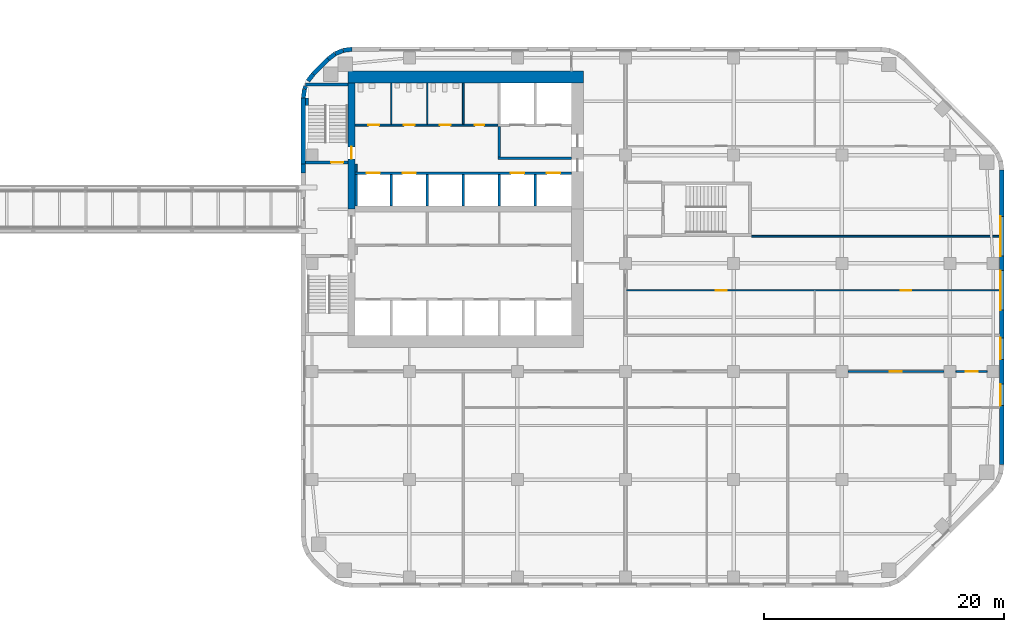
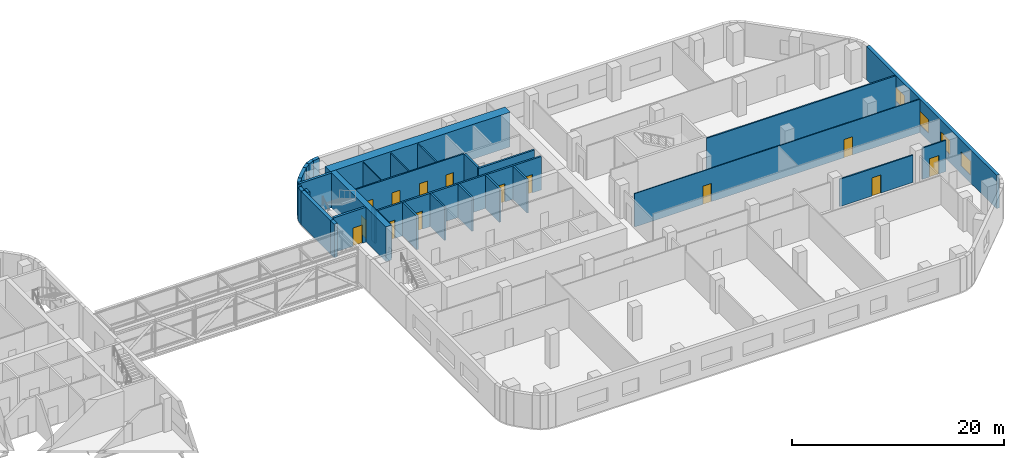
# One storey, part 19 of 24: 33 walls, 14 doors, 4 windows, 18 openings.
"""IFC4 building model written with IfcOpenShell, lengths in metres."""

from ifc_helpers import new_model, si_unit, direction, frame, frame_2d, origin, place, context, subcontext, project, spatial, rectangle, extrude, material, layer, layer_set, type_object, element, fill, save


model = new_model("IFC4")

# Units and contexts
model_context = context("Model", 3, precision=1e-05, world=origin(), true_north=direction((0.0, 1.0)))
body_context = subcontext(model_context, "Body", "Model", "MODEL_VIEW")
ifc_project = project(units=[si_unit("LENGTHUNIT", "METRE"), si_unit("AREAUNIT", "SQUARE_METRE"), si_unit("VOLUMEUNIT", "CUBIC_METRE"), si_unit("PLANEANGLEUNIT", "RADIAN"), si_unit("MASSUNIT", "GRAM", prefix="KILO")], contexts=[model_context])

# Site, building, storey
site_placement = place(None, origin())
site = spatial("IfcSite", under=ifc_project, at=site_placement, CompositionType="ELEMENT")
building_placement = place(site_placement, origin())
building = spatial("IfcBuilding", under=site, at=building_placement, Name="Cinnabar Reach Civic Tower", CompositionType="ELEMENT")
storey_placement = place(building_placement, frame((0.0, 0.0, 71.0)))
storey = spatial("IfcBuildingStorey", under=building, at=storey_placement, Name="L16", CompositionType="ELEMENT", Elevation=71.0)

# Walls
ifc_material_1 = material(Name="Facing brick with insulated backing", Category="masonry")
ifc_layer_1 = layer(ifc_material_1, 0.36)
ifc_layer_set_1 = layer_set([ifc_layer_1], Name="Brick corner wall")
wall_type_1 = type_object("IfcWallType", Name="Brick corner wall", PredefinedType="STANDARD", material=ifc_layer_set_1)
for number, where, z_axis, x_axis, name in (
    (1, (4.2314, 44.817, 0.0), (0.0, 0.0, 1.0), (-0.99144092581, -0.13055608231, 0.0), "Brick corner wall"),
    (2, (3.5027, 44.7181, 0.0), (0.0, 0.0, 1.0), (-0.923871547278, -0.382702709855, 0.0), "Brick corner wall"),
):
    element("IfcWall", number, at=place(storey_placement, frame(where, z_axis=z_axis, x_axis=x_axis)), inside=storey, type_object=wall_type_1, Name=name, PredefinedType="STANDARD", context=body_context, shape_type="SweptSolid", body=[
        extrude(rectangle(XDim=0.7131, YDim=0.36, at=frame_2d((0.3565, 0.0))), origin(), (0.0, 0.0, 1.0), 3.85),
    ])
for number, where, z_axis, x_axis, name in (
    (3, (2.8245, 44.434, 0.0), (0.0, 0.0, 1.0), (-0.793321924995, -0.608802368033, 0.0), "Brick corner wall"),
    (4, (1.0002, 42.7413, 0.0), (0.0, 0.0, 1.0), (-0.608802368033, -0.793321924995, 0.0), "Brick corner wall"),
):
    element("IfcWall", number, at=place(storey_placement, frame(where, z_axis=z_axis, x_axis=x_axis)), inside=storey, type_object=wall_type_1, Name=name, PredefinedType="STANDARD", context=body_context, shape_type="SweptSolid", body=[
        extrude(rectangle(XDim=0.7132, YDim=0.36, at=frame_2d((0.3566, 0.0))), origin(), (0.0, 0.0, 1.0), 3.85),
    ])
wall_1_placement = place(storey_placement, frame((0.3808, 41.736, 0.0), z_axis=(0.0, 0.0, 1.0), x_axis=(-0.382773360986, -0.923842277729, 0.0)))
element("IfcWall", 5, at=wall_1_placement, inside=storey, type_object=wall_type_1, Name="Brick corner wall", PredefinedType="STANDARD", context=body_context, shape_type="SweptSolid", body=[
    extrude(rectangle(XDim=0.2584, YDim=0.36, at=frame_2d((0.1292, 0.0))), origin(), (0.0, 0.0, 1.0), 3.85),
])
wall_2_placement = place(storey_placement, frame((0.2761, 41.4756, 0.0), z_axis=(0.0, 0.0, 1.0), x_axis=(-0.13055608231, -0.99144092581, 0.0)))
element("IfcWall", 6, at=wall_2_placement, inside=storey, type_object=wall_type_1, Name="Brick corner wall", PredefinedType="STANDARD", context=body_context, shape_type="SweptSolid", body=[
    extrude(rectangle(XDim=0.7131, YDim=0.36, at=frame_2d((0.3565, 0.0))), origin(), (0.0, 0.0, 1.0), 3.85),
])

# Wall, openings, windows
ifc_layer_2 = layer(ifc_material_1, 0.36)
ifc_layer_set_2 = layer_set([ifc_layer_2], Name="Brick pier and spandrel wall")
wall_type_2 = type_object("IfcWallType", Name="Brick pier and spandrel wall", PredefinedType="STANDARD", material=ifc_layer_set_2)
wall_3_placement = place(storey_placement, frame((58.32, 10.2426, 0.0), z_axis=(0.0, 0.0, 1.0), x_axis=(0.0, 1.0, 0.0)))
wall_3 = element("IfcWall", 7, at=wall_3_placement, inside=storey, type_object=wall_type_2, Name="Brick facade wall", PredefinedType="STANDARD", context=body_context, shape_type="SweptSolid", body=[
    extrude(rectangle(XDim=24.5148, YDim=0.36, at=frame_2d((12.2574, 0.0))), origin(), (0.0, 0.0, 1.0), 3.85),
])
opening_1_placement = place(wall_3_placement, frame((4.9074, 0.0, 0.9)))
opening_1 = element("IfcOpeningElement", 8, at=opening_1_placement, cuts=wall_3, Name="Opening W1304", PredefinedType="OPENING", context=body_context, shape_type="SweptSolid", body=[
    extrude(rectangle(XDim=1.8, YDim=1.6, at=frame_2d((0.9, 0.8))), frame((0.0, 0.19, 0.0), z_axis=(0.0, -1.0, 0.0), x_axis=(1.0, 0.0, 0.0)), (0.0, 0.0, 1.0), 0.38),
])
opening_2_placement = place(wall_3_placement, frame((8.7574, 0.0, 0.9)))
opening_2 = element("IfcOpeningElement", 9, at=opening_2_placement, cuts=wall_3, Name="Opening W1305", PredefinedType="OPENING", context=body_context, shape_type="SweptSolid", body=[
    extrude(rectangle(XDim=1.8, YDim=1.6, at=frame_2d((0.9, 0.8))), frame((0.0, 0.19, 0.0), z_axis=(0.0, -1.0, 0.0), x_axis=(1.0, 0.0, 0.0)), (0.0, 0.0, 1.0), 0.38),
])
opening_3_placement = place(wall_3_placement, frame((12.8574, 0.0, 0.9)))
opening_3 = element("IfcOpeningElement", 10, at=opening_3_placement, cuts=wall_3, Name="Opening W1306", PredefinedType="OPENING", context=body_context, shape_type="SweptSolid", body=[
    extrude(rectangle(XDim=3.3, YDim=1.6, at=frame_2d((1.65, 0.8))), frame((0.0, 0.19, 0.0), z_axis=(0.0, -1.0, 0.0), x_axis=(1.0, 0.0, 0.0)), (0.0, 0.0, 1.0), 0.38),
])
opening_4_placement = place(wall_3_placement, frame((17.3574, 0.0, 0.9)))
opening_4 = element("IfcOpeningElement", 11, at=opening_4_placement, cuts=wall_3, Name="Opening W1307", PredefinedType="OPENING", context=body_context, shape_type="SweptSolid", body=[
    extrude(rectangle(XDim=3.3, YDim=1.6, at=frame_2d((1.65, 0.8))), frame((0.0, 0.19, 0.0), z_axis=(0.0, -1.0, 0.0), x_axis=(1.0, 0.0, 0.0)), (0.0, 0.0, 1.0), 0.38),
])
ifc_material_2 = material(Name="Clear double glazing in aluminium frame", Category="aluminium")
window_type_1 = type_object("IfcWindowType", Name="Deep-set window A", PartitioningType="SINGLE_PANEL", PredefinedType="WINDOW", material=ifc_material_2)
window_1_placement = place(opening_3_placement, origin())
window_1 = element("IfcWindow", 12, at=window_1_placement, inside=storey, type_object=window_type_1, Name="Window east face", OverallHeight=1.6, OverallWidth=3.3, PartitioningType="SINGLE_PANEL", PredefinedType="WINDOW", context=body_context, shape_type="SweptSolid", body=[
    extrude(rectangle(XDim=3.3, YDim=1.6, at=frame_2d((1.65, 0.8))), frame((0.0, 0.13, 0.0), z_axis=(0.0, -1.0, 0.0), x_axis=(1.0, 0.0, 0.0)), (0.0, 0.0, 1.0), 0.06),
])
fill(opening_3, window_1)
window_2_placement = place(opening_4_placement, origin())
window_2 = element("IfcWindow", 13, at=window_2_placement, inside=storey, type_object=window_type_1, Name="Window east face", OverallHeight=1.6, OverallWidth=3.3, PartitioningType="SINGLE_PANEL", PredefinedType="WINDOW", context=body_context, shape_type="SweptSolid", body=[
    extrude(rectangle(XDim=3.3, YDim=1.6, at=frame_2d((1.65, 0.8))), frame((0.0, 0.13, 0.0), z_axis=(0.0, -1.0, 0.0), x_axis=(1.0, 0.0, 0.0)), (0.0, 0.0, 1.0), 0.06),
])
fill(opening_4, window_2)
window_type_2 = type_object("IfcWindowType", Name="Deep-set window D", PartitioningType="SINGLE_PANEL", PredefinedType="WINDOW", material=ifc_material_2)
window_3_placement = place(opening_1_placement, origin())
window_3 = element("IfcWindow", 14, at=window_3_placement, inside=storey, type_object=window_type_2, Name="Window east face", OverallHeight=1.6, OverallWidth=1.8, PartitioningType="SINGLE_PANEL", PredefinedType="WINDOW", context=body_context, shape_type="SweptSolid", body=[
    extrude(rectangle(XDim=1.8, YDim=1.6, at=frame_2d((0.9, 0.8))), frame((0.0, 0.13, 0.0), z_axis=(0.0, -1.0, 0.0), x_axis=(1.0, 0.0, 0.0)), (0.0, 0.0, 1.0), 0.06),
])
fill(opening_1, window_3)
window_4_placement = place(opening_2_placement, origin())
window_4 = element("IfcWindow", 15, at=window_4_placement, inside=storey, type_object=window_type_2, Name="Window east face", OverallHeight=1.6, OverallWidth=1.8, PartitioningType="SINGLE_PANEL", PredefinedType="WINDOW", context=body_context, shape_type="SweptSolid", body=[
    extrude(rectangle(XDim=1.8, YDim=1.6, at=frame_2d((0.9, 0.8))), frame((0.0, 0.13, 0.0), z_axis=(0.0, -1.0, 0.0), x_axis=(1.0, 0.0, 0.0)), (0.0, 0.0, 1.0), 0.06),
])
fill(opening_2, window_4)

# Walls
wall_4_placement = place(storey_placement, frame((2.2486, 43.994, 0.0), z_axis=(0.0, 0.0, 1.0), x_axis=(-0.707106781187, -0.707106781187, 0.0)))
element("IfcWall", 16, at=wall_4_placement, inside=storey, type_object=wall_type_2, Name="Brick facade wall", PredefinedType="STANDARD", context=body_context, shape_type="SweptSolid", body=[
    extrude(rectangle(XDim=1.7573, YDim=0.36, at=frame_2d((0.8787, 0.0))), origin(), (0.0, 0.0, 1.0), 3.85),
])
wall_5_placement = place(storey_placement, frame((0.18, 40.7574, 0.0), z_axis=(0.0, 0.0, 1.0), x_axis=(0.0, -1.0, 0.0)))
element("IfcWall", 17, at=wall_5_placement, inside=storey, type_object=wall_type_2, Name="Brick facade wall", PredefinedType="STANDARD", context=body_context, shape_type="SweptSolid", body=[
    extrude(rectangle(XDim=5.5074, YDim=0.36, at=frame_2d((2.7537, 0.0))), origin(), (0.0, 0.0, 1.0), 3.85),
])
wall_6_placement = place(storey_placement, frame((0.18, 35.25, 0.0), z_axis=(0.0, 0.0, 1.0), x_axis=(0.0, -1.0, 0.0)))
element("IfcWall", 18, at=wall_6_placement, inside=storey, type_object=wall_type_2, Name="Brick facade wall", PredefinedType="STANDARD", context=body_context, shape_type="SweptSolid", body=[
    extrude(rectangle(XDim=0.75, YDim=0.36, at=frame_2d((0.375, 0.0))), origin(), (0.0, 0.0, 1.0), 3.85),
])
ifc_material_3 = material(Name="Concrete C70", Category="concrete")
ifc_layer_3 = layer(ifc_material_3, 1.0)
ifc_layer_set_3 = layer_set([ifc_layer_3], Name="Core wall 1000 EI 180")
wall_type_3 = type_object("IfcWallType", Name="Core wall 1000 EI 180", PredefinedType="SOLIDWALL", material=ifc_layer_set_3)
wall_7_placement = place(storey_placement, frame((23.5, 42.5, 0.0), z_axis=(0.0, 0.0, 1.0), x_axis=(-1.0, 0.0, 0.0)))
element("IfcWall", 19, at=wall_7_placement, inside=storey, type_object=wall_type_3, Name="Core wall T1 L16 N", PredefinedType="SOLIDWALL", context=body_context, shape_type="SweptSolid", body=[
    extrude(rectangle(XDim=19.6, YDim=1.0, at=frame_2d((9.8, 0.0))), origin(), (0.0, 0.0, 1.0), 4.0),
])

# Wall, opening, door
ifc_layer_4 = layer(ifc_material_3, 0.6)
ifc_layer_set_4 = layer_set([ifc_layer_4], Name="Core wall 600 EI 180")
wall_type_4 = type_object("IfcWallType", Name="Core wall 600 EI 180", PredefinedType="SOLIDWALL", material=ifc_layer_set_4)
wall_8_placement = place(storey_placement, frame((4.2, 42.0, 0.0), z_axis=(0.0, 0.0, 1.0), x_axis=(0.0, -1.0, 0.0)))
wall_8 = element("IfcWall", 20, at=wall_8_placement, inside=storey, type_object=wall_type_4, Name="Core wall T1 L16 W", PredefinedType="SOLIDWALL", context=body_context, shape_type="SweptSolid", body=[
    extrude(rectangle(XDim=10.5, YDim=0.6, at=frame_2d((5.25, 0.0))), origin(), (0.0, 0.0, 1.0), 4.0),
])
opening_5_placement = place(wall_8_placement, frame((5.3, 0.0, 0.0)))
opening_5 = element("IfcOpeningElement", 21, at=opening_5_placement, cuts=wall_8, Name="Opening D3632", PredefinedType="OPENING", context=body_context, shape_type="SweptSolid", body=[
    extrude(rectangle(XDim=1.0, YDim=2.1, at=frame_2d((0.5, 1.05))), frame((0.0, 0.31, 0.0), z_axis=(0.0, -1.0, 0.0), x_axis=(1.0, 0.0, 0.0)), (0.0, 0.0, 1.0), 0.62),
])
ifc_material_4 = material(Name="Timber door leaf in steel frame", Category="steel")
door_type_1 = type_object("IfcDoorType", Name="Stair door 1000 x 2100 T1", OperationType="SINGLE_SWING_LEFT", PredefinedType="DOOR", material=ifc_material_4)
door_1_placement = place(opening_5_placement, frame((1.0, 0.0, 0.0), z_axis=(0.0, 0.0, 1.0), x_axis=(-1.0, 0.0, 0.0)))
door_1 = element("IfcDoor", 22, at=door_1_placement, inside=storey, type_object=door_type_1, Name="Door D3632", OperationType="SINGLE_SWING_LEFT", OverallHeight=2.1, OverallWidth=1.0, PredefinedType="DOOR", context=body_context, shape_type="SweptSolid", body=[
    extrude(rectangle(XDim=1.0, YDim=2.1, at=frame_2d((0.5, 1.05))), frame((0.0, 0.025, 0.0), z_axis=(0.0, -1.0, 0.0), x_axis=(1.0, 0.0, 0.0)), (0.0, 0.0, 1.0), 0.05),
])
fill(opening_5, door_1)

ifc_material_5 = material(Name="Gypsum board on steel studs, double layer", Category="steel")
ifc_layer_5 = layer(ifc_material_5, 0.15)
ifc_layer_set_5 = layer_set([ifc_layer_5], Name="Corridor wall 150 T1")
wall_type_5 = type_object("IfcWallType", Name="Corridor wall 150 T1", PredefinedType="PARTITIONING", material=ifc_layer_set_5)
wall_9_placement = place(storey_placement, frame((54.5, 18.0, 0.0), z_axis=(0.0, 0.0, 1.0), x_axis=(1.0, 0.0, 0.0)))
wall_9 = element("IfcWall", 23, at=wall_9_placement, inside=storey, type_object=wall_type_5, Name="Corridor wall 19", PredefinedType="PARTITIONING", context=body_context, shape_type="SweptSolid", body=[
    extrude(rectangle(XDim=2.6, YDim=0.15, at=frame_2d((1.3, 0.0))), origin(), (0.0, 0.0, 1.0), 3.602),
])
opening_6_placement = place(wall_9_placement, frame((0.8, 0.0, 0.0)))
opening_6 = element("IfcOpeningElement", 24, at=opening_6_placement, cuts=wall_9, Name="Opening D3673", PredefinedType="OPENING", context=body_context, shape_type="SweptSolid", body=[
    extrude(rectangle(XDim=1.0, YDim=2.1, at=frame_2d((0.5, 1.05))), frame((0.0, 0.085, 0.0), z_axis=(0.0, -1.0, 0.0), x_axis=(1.0, 0.0, 0.0)), (0.0, 0.0, 1.0), 0.17),
])
door_type_2 = type_object("IfcDoorType", Name="Tenancy entrance door 1000 x 2100 T1", OperationType="SINGLE_SWING_LEFT", PredefinedType="DOOR", material=ifc_material_4)
door_2_placement = place(opening_6_placement, frame((1.0, 0.0, 0.0), z_axis=(0.0, 0.0, 1.0), x_axis=(-1.0, 0.0, 0.0)))
door_2 = element("IfcDoor", 25, at=door_2_placement, inside=storey, type_object=door_type_2, Name="Door D3673", OperationType="SINGLE_SWING_LEFT", OverallHeight=2.1, OverallWidth=1.0, PredefinedType="DOOR", context=body_context, shape_type="SweptSolid", body=[
    extrude(rectangle(XDim=1.0, YDim=2.1, at=frame_2d((0.5, 1.05))), frame((0.0, 0.025, 0.0), z_axis=(0.0, -1.0, 0.0), x_axis=(1.0, 0.0, 0.0)), (0.0, 0.0, 1.0), 0.05),
])
fill(opening_6, door_2)

wall_10_placement = place(storey_placement, frame((45.5, 18.0, 0.0), z_axis=(0.0, 0.0, 1.0), x_axis=(1.0, 0.0, 0.0)))
wall_10 = element("IfcWall", 26, at=wall_10_placement, inside=storey, type_object=wall_type_5, Name="Corridor wall 20", PredefinedType="PARTITIONING", context=body_context, shape_type="SweptSolid", body=[
    extrude(rectangle(XDim=8.0, YDim=0.15, at=frame_2d((4.0, 0.0))), origin(), (0.0, 0.0, 1.0), 3.15),
])
opening_7_placement = place(wall_10_placement, frame((3.5, 0.0, 0.0)))
opening_7 = element("IfcOpeningElement", 27, at=opening_7_placement, cuts=wall_10, Name="Opening D3671", PredefinedType="OPENING", context=body_context, shape_type="SweptSolid", body=[
    extrude(rectangle(XDim=1.0, YDim=2.1, at=frame_2d((0.5, 1.05))), frame((0.0, 0.085, 0.0), z_axis=(0.0, -1.0, 0.0), x_axis=(1.0, 0.0, 0.0)), (0.0, 0.0, 1.0), 0.17),
])
door_3_placement = place(opening_7_placement, frame((1.0, 0.0, 0.0), z_axis=(0.0, 0.0, 1.0), x_axis=(-1.0, 0.0, 0.0)))
door_3 = element("IfcDoor", 28, at=door_3_placement, inside=storey, type_object=door_type_2, Name="Door D3671", OperationType="SINGLE_SWING_RIGHT", OverallHeight=2.1, OverallWidth=1.0, PredefinedType="DOOR", context=body_context, shape_type="SweptSolid", body=[
    extrude(rectangle(XDim=1.0, YDim=2.1, at=frame_2d((0.5, 1.05))), frame((0.0, 0.025, 0.0), z_axis=(0.0, -1.0, 0.0), x_axis=(1.0, 0.0, 0.0)), (0.0, 0.0, 1.0), 0.05),
])
fill(opening_7, door_3)

# Wall, openings, doors
wall_11_placement = place(storey_placement, frame((4.5, 38.5, 0.0), z_axis=(0.0, 0.0, 1.0), x_axis=(1.0, 0.0, 0.0)))
wall_11 = element("IfcWall", 29, at=wall_11_placement, inside=storey, type_object=wall_type_5, Name="Corridor wall 28", PredefinedType="PARTITIONING", context=body_context, shape_type="SweptSolid", body=[
    extrude(rectangle(XDim=11.9, YDim=0.15, at=frame_2d((5.95, 0.0))), origin(), (0.0, 0.0, 1.0), 3.85),
])
opening_8_placement = place(wall_11_placement, frame((1.1, 0.0, 0.0)))
opening_8 = element("IfcOpeningElement", 30, at=opening_8_placement, cuts=wall_11, Name="Opening D3654", PredefinedType="OPENING", context=body_context, shape_type="SweptSolid", body=[
    extrude(rectangle(XDim=0.9, YDim=2.1, at=frame_2d((0.45, 1.05))), frame((0.0, 0.085, 0.0), z_axis=(0.0, -1.0, 0.0), x_axis=(1.0, 0.0, 0.0)), (0.0, 0.0, 1.0), 0.17),
])
opening_9_placement = place(wall_11_placement, frame((4.05, 0.0, 0.0)))
opening_9 = element("IfcOpeningElement", 31, at=opening_9_placement, cuts=wall_11, Name="Opening D3655", PredefinedType="OPENING", context=body_context, shape_type="SweptSolid", body=[
    extrude(rectangle(XDim=0.9, YDim=2.1, at=frame_2d((0.45, 1.05))), frame((0.0, 0.085, 0.0), z_axis=(0.0, -1.0, 0.0), x_axis=(1.0, 0.0, 0.0)), (0.0, 0.0, 1.0), 0.17),
])
opening_10_placement = place(wall_11_placement, frame((7.05, 0.0, 0.0)))
opening_10 = element("IfcOpeningElement", 32, at=opening_10_placement, cuts=wall_11, Name="Opening D3656", PredefinedType="OPENING", context=body_context, shape_type="SweptSolid", body=[
    extrude(rectangle(XDim=0.9, YDim=2.1, at=frame_2d((0.45, 1.05))), frame((0.0, 0.085, 0.0), z_axis=(0.0, -1.0, 0.0), x_axis=(1.0, 0.0, 0.0)), (0.0, 0.0, 1.0), 0.17),
])
opening_11_placement = place(wall_11_placement, frame((9.95, 0.0, 0.0)))
opening_11 = element("IfcOpeningElement", 33, at=opening_11_placement, cuts=wall_11, Name="Opening D3657", PredefinedType="OPENING", context=body_context, shape_type="SweptSolid", body=[
    extrude(rectangle(XDim=0.8, YDim=2.1, at=frame_2d((0.4, 1.05))), frame((0.0, 0.085, 0.0), z_axis=(0.0, -1.0, 0.0), x_axis=(1.0, 0.0, 0.0)), (0.0, 0.0, 1.0), 0.17),
])
door_type_3 = type_object("IfcDoorType", Name="Riser access door 800 x 2100 T1", OperationType="SINGLE_SWING_LEFT", PredefinedType="DOOR", material=ifc_material_4)
door_4_placement = place(opening_11_placement, origin())
door_4 = element("IfcDoor", 34, at=door_4_placement, inside=storey, type_object=door_type_3, Name="Door D3657", OperationType="SINGLE_SWING_RIGHT", OverallHeight=2.1, OverallWidth=0.8, PredefinedType="DOOR", context=body_context, shape_type="SweptSolid", body=[
    extrude(rectangle(XDim=0.8, YDim=2.1, at=frame_2d((0.4, 1.05))), frame((0.0, 0.025, 0.0), z_axis=(0.0, -1.0, 0.0), x_axis=(1.0, 0.0, 0.0)), (0.0, 0.0, 1.0), 0.05),
])
fill(opening_11, door_4)
door_type_4 = type_object("IfcDoorType", Name="Single swing door 900 x 2100 corridor T1", OperationType="SINGLE_SWING_LEFT", PredefinedType="DOOR", material=ifc_material_4)
door_5_placement = place(opening_8_placement, origin())
door_5 = element("IfcDoor", 35, at=door_5_placement, inside=storey, type_object=door_type_4, Name="Door D3654", OperationType="SINGLE_SWING_LEFT", OverallHeight=2.1, OverallWidth=0.9, PredefinedType="DOOR", context=body_context, shape_type="SweptSolid", body=[
    extrude(rectangle(XDim=0.9, YDim=2.1, at=frame_2d((0.45, 1.05))), frame((0.0, 0.025, 0.0), z_axis=(0.0, -1.0, 0.0), x_axis=(1.0, 0.0, 0.0)), (0.0, 0.0, 1.0), 0.05),
])
fill(opening_8, door_5)
door_6_placement = place(opening_9_placement, origin())
door_6 = element("IfcDoor", 36, at=door_6_placement, inside=storey, type_object=door_type_4, Name="Door D3655", OperationType="SINGLE_SWING_RIGHT", OverallHeight=2.1, OverallWidth=0.9, PredefinedType="DOOR", context=body_context, shape_type="SweptSolid", body=[
    extrude(rectangle(XDim=0.9, YDim=2.1, at=frame_2d((0.45, 1.05))), frame((0.0, 0.025, 0.0), z_axis=(0.0, -1.0, 0.0), x_axis=(1.0, 0.0, 0.0)), (0.0, 0.0, 1.0), 0.05),
])
fill(opening_9, door_6)
door_7_placement = place(opening_10_placement, origin())
door_7 = element("IfcDoor", 37, at=door_7_placement, inside=storey, type_object=door_type_4, Name="Door D3656", OperationType="SINGLE_SWING_LEFT", OverallHeight=2.1, OverallWidth=0.9, PredefinedType="DOOR", context=body_context, shape_type="SweptSolid", body=[
    extrude(rectangle(XDim=0.9, YDim=2.1, at=frame_2d((0.45, 1.05))), frame((0.0, 0.025, 0.0), z_axis=(0.0, -1.0, 0.0), x_axis=(1.0, 0.0, 0.0)), (0.0, 0.0, 1.0), 0.05),
])
fill(opening_10, door_7)

# Wall
wall_12_placement = place(storey_placement, frame((4.575, 34.6, 0.0), z_axis=(0.0, 0.0, 1.0), x_axis=(0.0, 1.0, 0.0)))
element("IfcWall", 38, at=wall_12_placement, inside=storey, type_object=wall_type_5, Name="Corridor wall 38", PredefinedType="PARTITIONING", context=body_context, shape_type="SweptSolid", body=[
    extrude(rectangle(XDim=0.65, YDim=0.15, at=frame_2d((0.325, 0.0))), origin(), (0.0, 0.0, 1.0), 3.85),
])

# Wall, openings, doors
ifc_material_6 = material(Name="Blockwork", Category="masonry")
ifc_layer_6 = layer(ifc_material_6, 0.2)
ifc_layer_set_6 = layer_set([ifc_layer_6], Name="Lift shaft wall 200 T1")
wall_type_6 = type_object("IfcWallType", Name="Lift shaft wall 200 T1", PredefinedType="PARTITIONING", material=ifc_layer_set_6)
wall_13_placement = place(storey_placement, frame((4.5, 34.5, 0.0), z_axis=(0.0, 0.0, 1.0), x_axis=(1.0, 0.0, 0.0)))
wall_13 = element("IfcWall", 39, at=wall_13_placement, inside=storey, type_object=wall_type_6, Name="Lift shaft wall 5", PredefinedType="PARTITIONING", context=body_context, shape_type="SweptSolid", body=[
    extrude(rectangle(XDim=18.0, YDim=0.2, at=frame_2d((9.0, 0.0))), origin(), (0.0, 0.0, 1.0), 3.85),
])
opening_12_placement = place(wall_13_placement, frame((0.95, 0.0, 0.0)))
opening_12 = element("IfcOpeningElement", 40, at=opening_12_placement, cuts=wall_13, Name="Opening D3642", PredefinedType="OPENING", context=body_context, shape_type="SweptSolid", body=[
    extrude(rectangle(XDim=1.1, YDim=2.1, at=frame_2d((0.55, 1.05))), frame((0.0, 0.11, 0.0), z_axis=(0.0, -1.0, 0.0), x_axis=(1.0, 0.0, 0.0)), (0.0, 0.0, 1.0), 0.22),
])
opening_13_placement = place(wall_13_placement, frame((3.95, 0.0, 0.0)))
opening_13 = element("IfcOpeningElement", 41, at=opening_13_placement, cuts=wall_13, Name="Opening D3643", PredefinedType="OPENING", context=body_context, shape_type="SweptSolid", body=[
    extrude(rectangle(XDim=1.1, YDim=2.1, at=frame_2d((0.55, 1.05))), frame((0.0, 0.11, 0.0), z_axis=(0.0, -1.0, 0.0), x_axis=(1.0, 0.0, 0.0)), (0.0, 0.0, 1.0), 0.22),
])
opening_14_placement = place(wall_13_placement, frame((12.95, 0.0, 0.0)))
opening_14 = element("IfcOpeningElement", 42, at=opening_14_placement, cuts=wall_13, Name="Opening D3644", PredefinedType="OPENING", context=body_context, shape_type="SweptSolid", body=[
    extrude(rectangle(XDim=1.1, YDim=2.1, at=frame_2d((0.55, 1.05))), frame((0.0, 0.11, 0.0), z_axis=(0.0, -1.0, 0.0), x_axis=(1.0, 0.0, 0.0)), (0.0, 0.0, 1.0), 0.22),
])
opening_15_placement = place(wall_13_placement, frame((15.95, 0.0, 0.0)))
opening_15 = element("IfcOpeningElement", 43, at=opening_15_placement, cuts=wall_13, Name="Opening D3645", PredefinedType="OPENING", context=body_context, shape_type="SweptSolid", body=[
    extrude(rectangle(XDim=1.1, YDim=2.1, at=frame_2d((0.55, 1.05))), frame((0.0, 0.11, 0.0), z_axis=(0.0, -1.0, 0.0), x_axis=(1.0, 0.0, 0.0)), (0.0, 0.0, 1.0), 0.22),
])
ifc_material_7 = material(Name="Stainless steel sliding door", Category="steel")
door_type_5 = type_object("IfcDoorType", Name="Lift landing door 1100 x 2100 T1", OperationType="SLIDING_TO_LEFT", PredefinedType="DOOR", material=ifc_material_7)
door_8_placement = place(opening_12_placement, origin())
door_8 = element("IfcDoor", 44, at=door_8_placement, inside=storey, type_object=door_type_5, Name="Lift landing door SH1 L16", OperationType="SLIDING_TO_LEFT", OverallHeight=2.1, OverallWidth=1.1, PredefinedType="DOOR", context=body_context, shape_type="SweptSolid", body=[
    extrude(rectangle(XDim=1.1, YDim=2.1, at=frame_2d((0.55, 1.05))), frame((0.0, 0.025, 0.0), z_axis=(0.0, -1.0, 0.0), x_axis=(1.0, 0.0, 0.0)), (0.0, 0.0, 1.0), 0.05),
])
fill(opening_12, door_8)
door_9_placement = place(opening_13_placement, origin())
door_9 = element("IfcDoor", 45, at=door_9_placement, inside=storey, type_object=door_type_5, Name="Lift landing door SH2 L16", OperationType="SLIDING_TO_LEFT", OverallHeight=2.1, OverallWidth=1.1, PredefinedType="DOOR", context=body_context, shape_type="SweptSolid", body=[
    extrude(rectangle(XDim=1.1, YDim=2.1, at=frame_2d((0.55, 1.05))), frame((0.0, 0.025, 0.0), z_axis=(0.0, -1.0, 0.0), x_axis=(1.0, 0.0, 0.0)), (0.0, 0.0, 1.0), 0.05),
])
fill(opening_13, door_9)
door_10_placement = place(opening_14_placement, origin())
door_10 = element("IfcDoor", 46, at=door_10_placement, inside=storey, type_object=door_type_5, Name="Lift landing door SV1 L16", OperationType="SLIDING_TO_LEFT", OverallHeight=2.1, OverallWidth=1.1, PredefinedType="DOOR", context=body_context, shape_type="SweptSolid", body=[
    extrude(rectangle(XDim=1.1, YDim=2.1, at=frame_2d((0.55, 1.05))), frame((0.0, 0.025, 0.0), z_axis=(0.0, -1.0, 0.0), x_axis=(1.0, 0.0, 0.0)), (0.0, 0.0, 1.0), 0.05),
])
fill(opening_14, door_10)
door_11_placement = place(opening_15_placement, origin())
door_11 = element("IfcDoor", 47, at=door_11_placement, inside=storey, type_object=door_type_5, Name="Lift landing door SV2 L16", OperationType="SLIDING_TO_LEFT", OverallHeight=2.1, OverallWidth=1.1, PredefinedType="DOOR", context=body_context, shape_type="SweptSolid", body=[
    extrude(rectangle(XDim=1.1, YDim=2.1, at=frame_2d((0.55, 1.05))), frame((0.0, 0.025, 0.0), z_axis=(0.0, -1.0, 0.0), x_axis=(1.0, 0.0, 0.0)), (0.0, 0.0, 1.0), 0.05),
])
fill(opening_15, door_11)

# Walls
for number, where, z_axis, x_axis, name in (
    (48, (4.6, 31.75, 0.0), (0.0, 0.0, 1.0), (0.0, 1.0, 0.0), "Lift shaft wall 8"),
    (49, (7.5, 31.75, 0.0), (0.0, 0.0, 1.0), (0.0, 1.0, 0.0), "Lift shaft wall 10"),
    (50, (10.5, 31.75, 0.0), (0.0, 0.0, 1.0), (0.0, 1.0, 0.0), "Lift shaft wall 12"),
    (51, (13.5, 31.75, 0.0), (0.0, 0.0, 1.0), (0.0, 1.0, 0.0), "Lift shaft wall 14"),
    (52, (16.5, 31.75, 0.0), (0.0, 0.0, 1.0), (0.0, 1.0, 0.0), "Lift shaft wall 16"),
    (53, (19.5, 31.75, 0.0), (0.0, 0.0, 1.0), (0.0, 1.0, 0.0), "Lift shaft wall 18"),
):
    element("IfcWall", number, at=place(storey_placement, frame(where, z_axis=z_axis, x_axis=x_axis)), inside=storey, type_object=wall_type_6, Name=name, PredefinedType="PARTITIONING", context=body_context, shape_type="SweptSolid", body=[
        extrude(rectangle(XDim=2.65, YDim=0.2, at=frame_2d((1.325, 0.0))), origin(), (0.0, 0.0, 1.0), 3.85),
    ])

# Wall, openings, doors
ifc_material_8 = material(Name="Gypsum board on steel studs", Category="steel")
ifc_layer_7 = layer(ifc_material_8, 0.1)
ifc_layer_set_7 = layer_set([ifc_layer_7], Name="Partition wall 100 T1")
wall_type_7 = type_object("IfcWallType", Name="Partition wall 100 T1", PredefinedType="PARTITIONING", material=ifc_layer_set_7)
wall_14_placement = place(storey_placement, frame((27.075, 24.75, 0.0), z_axis=(0.0, 0.0, 1.0), x_axis=(1.0, 0.0, 0.0)))
wall_14 = element("IfcWall", 54, at=wall_14_placement, inside=storey, type_object=wall_type_7, Name="Partition wall 47", PredefinedType="PARTITIONING", context=body_context, shape_type="SweptSolid", body=[
    extrude(rectangle(XDim=31.065, YDim=0.1, at=frame_2d((15.5325, 0.0))), origin(), (0.0, 0.0, 1.0), 3.85),
])
opening_16_placement = place(wall_14_placement, frame((7.45, 0.0, 0.0)))
opening_16 = element("IfcOpeningElement", 55, at=opening_16_placement, cuts=wall_14, Name="Opening D3662", PredefinedType="OPENING", context=body_context, shape_type="SweptSolid", body=[
    extrude(rectangle(XDim=0.9, YDim=2.1, at=frame_2d((0.45, 1.05))), frame((0.0, 0.06, 0.0), z_axis=(0.0, -1.0, 0.0), x_axis=(1.0, 0.0, 0.0)), (0.0, 0.0, 1.0), 0.12),
])
opening_17_placement = place(wall_14_placement, frame((22.825, 0.0, 0.0)))
opening_17 = element("IfcOpeningElement", 56, at=opening_17_placement, cuts=wall_14, Name="Opening D3663", PredefinedType="OPENING", context=body_context, shape_type="SweptSolid", body=[
    extrude(rectangle(XDim=0.9, YDim=2.1, at=frame_2d((0.45, 1.05))), frame((0.0, 0.06, 0.0), z_axis=(0.0, -1.0, 0.0), x_axis=(1.0, 0.0, 0.0)), (0.0, 0.0, 1.0), 0.12),
])
door_type_6 = type_object("IfcDoorType", Name="Single swing door 900 x 2100 T1", OperationType="SINGLE_SWING_LEFT", PredefinedType="DOOR", material=ifc_material_4)
door_12_placement = place(opening_16_placement, frame((0.9, 0.0, 0.0), z_axis=(0.0, 0.0, 1.0), x_axis=(-1.0, 0.0, 0.0)))
door_12 = element("IfcDoor", 57, at=door_12_placement, inside=storey, type_object=door_type_6, Name="Door D3662", OperationType="SINGLE_SWING_RIGHT", OverallHeight=2.1, OverallWidth=0.9, PredefinedType="DOOR", context=body_context, shape_type="SweptSolid", body=[
    extrude(rectangle(XDim=0.9, YDim=2.1, at=frame_2d((0.45, 1.05))), frame((0.0, 0.025, 0.0), z_axis=(0.0, -1.0, 0.0), x_axis=(1.0, 0.0, 0.0)), (0.0, 0.0, 1.0), 0.05),
])
fill(opening_16, door_12)
door_13_placement = place(opening_17_placement, frame((0.9, 0.0, 0.0), z_axis=(0.0, 0.0, 1.0), x_axis=(-1.0, 0.0, 0.0)))
door_13 = element("IfcDoor", 58, at=door_13_placement, inside=storey, type_object=door_type_6, Name="Door D3663", OperationType="SINGLE_SWING_LEFT", OverallHeight=2.1, OverallWidth=0.9, PredefinedType="DOOR", context=body_context, shape_type="SweptSolid", body=[
    extrude(rectangle(XDim=0.9, YDim=2.1, at=frame_2d((0.45, 1.05))), frame((0.0, 0.025, 0.0), z_axis=(0.0, -1.0, 0.0), x_axis=(1.0, 0.0, 0.0)), (0.0, 0.0, 1.0), 0.05),
])
fill(opening_17, door_13)

# Walls
for number, where, z_axis, x_axis, name in (
    (59, (7.5, 38.575, 0.0), (0.0, 0.0, 1.0), (0.0, 1.0, 0.0), "Partition wall 57"),
    (60, (10.5, 38.575, 0.0), (0.0, 0.0, 1.0), (0.0, 1.0, 0.0), "Partition wall 58"),
):
    element("IfcWall", number, at=place(storey_placement, frame(where, z_axis=z_axis, x_axis=x_axis)), inside=storey, type_object=wall_type_7, Name=name, PredefinedType="PARTITIONING", context=body_context, shape_type="SweptSolid", body=[
        extrude(rectangle(XDim=3.425, YDim=0.1, at=frame_2d((1.7125, 0.0))), origin(), (0.0, 0.0, 1.0), 3.85),
    ])
ifc_material_9 = material(Name="Concrete C40", Category="concrete")
ifc_layer_8 = layer(ifc_material_9, 0.2)
ifc_layer_set_8 = layer_set([ifc_layer_8], Name="Refuge compartment wall 200 T1")
wall_type_8 = type_object("IfcWallType", Name="Refuge compartment wall 200 T1", PredefinedType="PARTITIONING", material=ifc_layer_set_8)
wall_15_placement = place(storey_placement, frame((16.4, 35.75, 0.0), z_axis=(0.0, 0.0, 1.0), x_axis=(1.0, 0.0, 0.0)))
element("IfcWall", 61, at=wall_15_placement, inside=storey, type_object=wall_type_8, Name="Refuge compartment wall 1", PredefinedType="PARTITIONING", context=body_context, shape_type="SweptSolid", body=[
    extrude(rectangle(XDim=6.1, YDim=0.2, at=frame_2d((3.05, 0.0))), origin(), (0.0, 0.0, 1.0), 3.85),
])
wall_16_placement = place(storey_placement, frame((16.5, 35.85, 0.0), z_axis=(0.0, 0.0, 1.0), x_axis=(0.0, 1.0, 0.0)))
element("IfcWall", 62, at=wall_16_placement, inside=storey, type_object=wall_type_8, Name="Refuge compartment wall 3", PredefinedType="PARTITIONING", context=body_context, shape_type="SweptSolid", body=[
    extrude(rectangle(XDim=2.55, YDim=0.2, at=frame_2d((1.275, 0.0))), origin(), (0.0, 0.0, 1.0), 3.85),
])
ifc_layer_9 = layer(ifc_material_6, 0.15)
ifc_layer_set_9 = layer_set([ifc_layer_9], Name="Riser wall 150 T1")
wall_type_9 = type_object("IfcWallType", Name="Riser wall 150 T1", PredefinedType="PARTITIONING", material=ifc_layer_set_9)
wall_17_placement = place(storey_placement, frame((13.5, 38.575, 0.0), z_axis=(0.0, 0.0, 1.0), x_axis=(0.0, 1.0, 0.0)))
element("IfcWall", 63, at=wall_17_placement, inside=storey, type_object=wall_type_9, Name="Riser wall 39", PredefinedType="PARTITIONING", context=body_context, shape_type="SweptSolid", body=[
    extrude(rectangle(XDim=3.425, YDim=0.15, at=frame_2d((1.7125, 0.0))), origin(), (0.0, 0.0, 1.0), 3.85),
])

# Wall, opening, door
ifc_material_10 = material(Name="Concrete C60", Category="concrete")
ifc_layer_10 = layer(ifc_material_10, 0.25)
ifc_layer_set_10 = layer_set([ifc_layer_10], Name="Stair shaft wall 250 EI 120")
wall_type_10 = type_object("IfcWallType", Name="Stair shaft wall 250 EI 120", PredefinedType="SOLIDWALL", material=ifc_layer_set_10)
wall_18_placement = place(storey_placement, frame((0.36, 35.375, 0.0), z_axis=(0.0, 0.0, 1.0), x_axis=(1.0, 0.0, 0.0)))
wall_18 = element("IfcWall", 64, at=wall_18_placement, inside=storey, type_object=wall_type_10, Name="Stair shaft wall T1-S2 L16", PredefinedType="SOLIDWALL", context=body_context, shape_type="SweptSolid", body=[
    extrude(rectangle(XDim=3.54, YDim=0.25, at=frame_2d((1.77, 0.0))), origin(), (0.0, 0.0, 1.0), 4.0),
])
opening_18_placement = place(wall_18_placement, frame((2.14, 0.0, 0.0)))
opening_18 = element("IfcOpeningElement", 65, at=opening_18_placement, cuts=wall_18, Name="Opening D3633", PredefinedType="OPENING", context=body_context, shape_type="SweptSolid", body=[
    extrude(rectangle(XDim=1.0, YDim=2.1, at=frame_2d((0.5, 1.05))), frame((0.0, 0.135, 0.0), z_axis=(0.0, -1.0, 0.0), x_axis=(1.0, 0.0, 0.0)), (0.0, 0.0, 1.0), 0.27),
])
door_14_placement = place(opening_18_placement, origin())
door_14 = element("IfcDoor", 66, at=door_14_placement, inside=storey, type_object=door_type_1, Name="Door D3633", OperationType="SINGLE_SWING_RIGHT", OverallHeight=2.1, OverallWidth=1.0, PredefinedType="DOOR", context=body_context, shape_type="SweptSolid", body=[
    extrude(rectangle(XDim=1.0, YDim=2.1, at=frame_2d((0.5, 1.05))), frame((0.0, 0.025, 0.0), z_axis=(0.0, -1.0, 0.0), x_axis=(1.0, 0.0, 0.0)), (0.0, 0.0, 1.0), 0.05),
])
fill(opening_18, door_14)

# Walls
wall_19_placement = place(storey_placement, frame((3.9, 41.875, 0.0), z_axis=(0.0, 0.0, 1.0), x_axis=(-1.0, 0.0, 0.0)))
element("IfcWall", 67, at=wall_19_placement, inside=storey, type_object=wall_type_10, Name="Stair shaft wall T1-S2 L16", PredefinedType="SOLIDWALL", context=body_context, shape_type="SweptSolid", body=[
    extrude(rectangle(XDim=3.54, YDim=0.25, at=frame_2d((1.77, 0.0))), origin(), (0.0, 0.0, 1.0), 4.0),
])
ifc_material_11 = material(Name="Concrete C40/50", Category="concrete")
ifc_layer_11 = layer(ifc_material_11, 0.24)
ifc_layer_set_11 = layer_set([ifc_layer_11], Name="T1 landing bearer wall 240")
wall_type_11 = type_object("IfcWallType", Name="T1 landing bearer wall 240", PredefinedType="STANDARD", material=ifc_layer_set_11)
wall_20_placement = place(storey_placement, frame((0.48, 40.13, 0.0), z_axis=(0.0, 0.0, 1.0), x_axis=(0.0, 1.0, 0.0)))
element("IfcWall", 68, at=wall_20_placement, inside=storey, type_object=wall_type_11, Name="T1-S2 landing bearer wall", PredefinedType="STANDARD", context=body_context, shape_type="SweptSolid", body=[
    extrude(rectangle(XDim=0.6151, YDim=0.24, at=frame_2d((0.3075, 0.0))), origin(), (0.0, 0.0, 1.0), 4.0),
])
ifc_layer_12 = layer(ifc_material_5, 0.15)
ifc_layer_set_12 = layer_set([ifc_layer_12], Name="Tenancy separating wall 150 T1")
wall_type_12 = type_object("IfcWallType", Name="Tenancy separating wall 150 T1", PredefinedType="PARTITIONING", material=ifc_layer_set_12)
wall_21_placement = place(storey_placement, frame((37.5, 29.25, 0.0), z_axis=(0.0, 0.0, 1.0), x_axis=(1.0, 0.0, 0.0)))
element("IfcWall", 69, at=wall_21_placement, inside=storey, type_object=wall_type_12, Name="Tenancy separating wall 40", PredefinedType="PARTITIONING", context=body_context, shape_type="SweptSolid", body=[
    extrude(rectangle(XDim=20.64, YDim=0.15, at=frame_2d((10.32, 0.0))), origin(), (0.0, 0.0, 1.0), 3.85),
])

save(model, "model.ifc")
